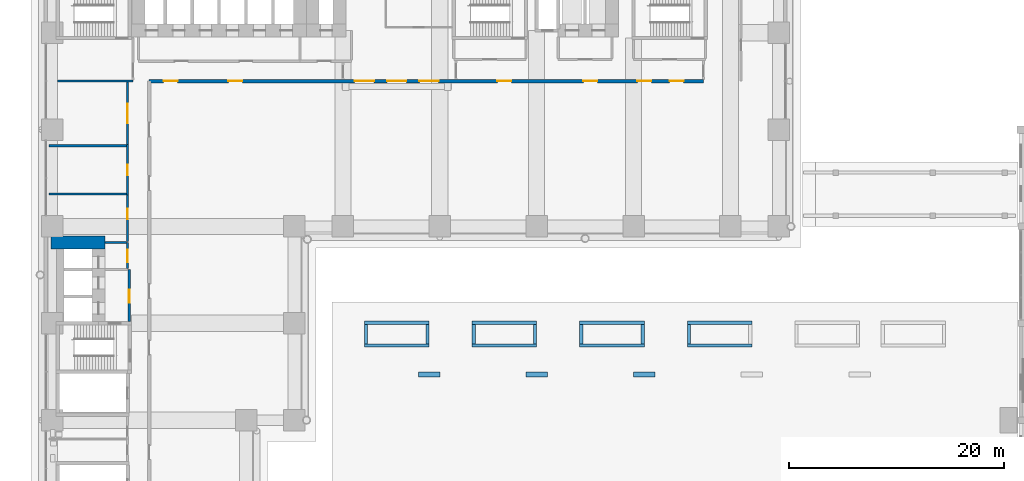
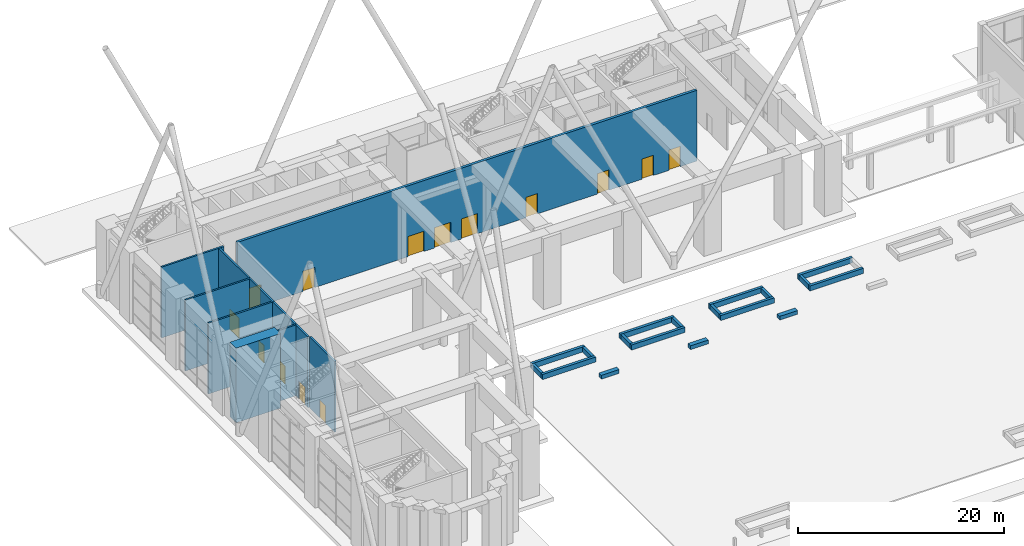
# One storey, part 28 of 44: 29 walls, 14 doors, 14 openings.
"""IFC4 building model written with IfcOpenShell, lengths in metres."""

from ifc_helpers import new_model, si_unit, direction, frame, frame_2d, origin, place, context, subcontext, project, spatial, rectangle, extrude, material, layer, layer_set, type_object, element, fill, save


model = new_model("IFC4")

# Units and contexts
model_context = context("Model", 3, precision=1e-05, world=origin(), true_north=direction((0.0, 1.0)))
body_context = subcontext(model_context, "Body", "Model", "MODEL_VIEW")
ifc_project = project(units=[si_unit("LENGTHUNIT", "METRE"), si_unit("AREAUNIT", "SQUARE_METRE"), si_unit("VOLUMEUNIT", "CUBIC_METRE"), si_unit("PLANEANGLEUNIT", "RADIAN"), si_unit("MASSUNIT", "GRAM", prefix="KILO")], contexts=[model_context])

# Site, building, storey
site_placement = place(None, origin())
site = spatial("IfcSite", under=ifc_project, at=site_placement, CompositionType="ELEMENT")
building_placement = place(site_placement, origin())
building = spatial("IfcBuilding", under=site, at=building_placement, Name="Firuza Court", CompositionType="ELEMENT")
storey_placement = place(building_placement, origin())
storey = spatial("IfcBuildingStorey", under=building, at=storey_placement, Name="L00", CompositionType="ELEMENT", Elevation=0.0)

# Wall
ifc_material_1 = material(Name="Concrete C60/75", Category="concrete")
ifc_layer_1 = layer(ifc_material_1, 1.199951171875)
ifc_layer_set_1 = layer_set([ifc_layer_1], Name="Concrete C60/75")
wall_type_1 = type_object("IfcWallType", Name="Core wall 1200 C60/75", PredefinedType="SHEAR", material=ifc_layer_set_1)
wall_1_placement = place(storey_placement, frame((-0.10009765625, 34.5, -0.449951171875), z_axis=(0.0, 0.0, 1.0), x_axis=(1.0, 0.0, 0.0)))
element("IfcWall", 1, at=wall_1_placement, inside=storey, type_object=wall_type_1, Name="Core wall lift shaft L00", PredefinedType="SHEAR", context=body_context, shape_type="SweptSolid", body=[
    extrude(rectangle(XDim=5.0, YDim=1.199951171875, at=frame_2d((2.5, 0.0))), origin(), (0.0, 0.0, 1.0), 8.849853515625),
])

# Wall, opening, door
ifc_material_2 = material(Name="Blockwork, plastered both sides", Category="masonry")
ifc_layer_2 = layer(ifc_material_2, 0.199951171875)
ifc_layer_set_2 = layer_set([ifc_layer_2], Name="Blockwork, plastered both sides")
wall_type_2 = type_object("IfcWallType", Name="Corridor wall 200", PredefinedType="PARTITIONING", material=ifc_layer_set_2)
wall_2_placement = place(storey_placement, frame((7.0, 38.89990234375, 0.0), z_axis=(0.0, 0.0, 1.0), x_axis=(0.0, -1.0, 0.0)))
wall_2 = element("IfcWall", 2, at=wall_2_placement, inside=storey, type_object=wall_type_2, Name="Corridor wall 200 L00", PredefinedType="PARTITIONING", context=body_context, shape_type="SweptSolid", body=[
    extrude(rectangle(XDim=4.2998046875, YDim=0.199951171875, at=frame_2d((2.14990234375, 0.0))), origin(), (0.0, 0.0, 1.0), 8.39990234375),
])
opening_1_placement = place(wall_2_placement, frame((1.25, 0.0, 0.0)))
opening_1 = element("IfcOpeningElement", 3, at=opening_1_placement, cuts=wall_2, Name="Opening D00023", PredefinedType="OPENING", context=body_context, shape_type="SweptSolid", body=[
    extrude(rectangle(XDim=1.0, YDim=2.10009765625, at=frame_2d((0.5, 1.050048828125))), frame((0.0, 0.11181640625, 0.0), z_axis=(0.0, -1.0, 0.0), x_axis=(1.0, 0.0, 0.0)), (0.0, 0.0, 1.0), 0.223876953125),
])
ifc_material_3 = material(Name="Timber door leaf in hardwood frame", Category="wood")
door_type_1 = type_object("IfcDoorType", Name="Fire command centre door 1000", OperationType="SINGLE_SWING_LEFT", PredefinedType="DOOR", material=ifc_material_3)
door_1_placement = place(opening_1_placement, frame((1.0, 0.0, 0.0), z_axis=(0.0, 0.0, 1.0), x_axis=(-1.0, 0.0, 0.0)))
door_1 = element("IfcDoor", 4, at=door_1_placement, inside=storey, type_object=door_type_1, Name="Fire door", OperationType="SINGLE_SWING_RIGHT", OverallHeight=2.10009765625, OverallWidth=1.0, PredefinedType="DOOR", context=body_context, shape_type="SweptSolid", body=[
    extrude(rectangle(XDim=1.0, YDim=2.10009765625, at=frame_2d((0.5, 1.050048828125))), frame((0.0, 0.02490234375, 0.0), z_axis=(0.0, -1.0, 0.0), x_axis=(1.0, 0.0, 0.0)), (0.0, 0.0, 1.0), 0.050048828125),
])
fill(opening_1, door_1)

# Wall, openings, doors
ifc_material_4 = material(Name="Concrete C40/50 precast", Category="concrete")
ifc_layer_3 = layer(ifc_material_4, 0.300048828125)
ifc_layer_set_3 = layer_set([ifc_layer_3], Name="Concrete C40/50 precast")
wall_type_3 = type_object("IfcWallType", Name="Ground floor enclosure wall 300", PredefinedType="SOLIDWALL", material=ifc_layer_set_3)
wall_3_placement = place(storey_placement, frame((9.0, 49.5, 0.0), z_axis=(0.0, 0.0, 1.0), x_axis=(1.0, 0.0, 0.0)))
wall_3 = element("IfcWall", 5, at=wall_3_placement, inside=storey, type_object=wall_type_3, Name="Ground floor enclosure wall 300 L00", PredefinedType="SOLIDWALL", context=body_context, shape_type="SweptSolid", body=[
    extrude(rectangle(XDim=51.5, YDim=0.300048828125, at=frame_2d((25.75, 0.0))), origin(), (0.0, 0.0, 1.0), 8.39990234375),
])
opening_2_placement = place(wall_3_placement, frame((19.10009765625, 0.0, 0.0)))
opening_2 = element("IfcOpeningElement", 6, at=opening_2_placement, cuts=wall_3, Name="Opening D00031", PredefinedType="OPENING", context=body_context, shape_type="SweptSolid", body=[
    extrude(rectangle(XDim=1.800048828125, YDim=2.39990234375, at=frame_2d((0.89990234375, 1.199951171875))), frame((0.0, 0.162109375, 0.0), z_axis=(0.0, -1.0, 0.0), x_axis=(1.0, 0.0, 0.0)), (0.0, 0.0, 1.0), 0.323974609375),
])
opening_3_placement = place(wall_3_placement, frame((22.10009765625, 0.0, 0.0)))
opening_3 = element("IfcOpeningElement", 7, at=opening_3_placement, cuts=wall_3, Name="Opening D00032", PredefinedType="OPENING", context=body_context, shape_type="SweptSolid", body=[
    extrude(rectangle(XDim=1.800048828125, YDim=2.39990234375, at=frame_2d((0.89990234375, 1.199951171875))), frame((0.0, 0.162109375, 0.0), z_axis=(0.0, -1.0, 0.0), x_axis=(1.0, 0.0, 0.0)), (0.0, 0.0, 1.0), 0.323974609375),
])
opening_4_placement = place(wall_3_placement, frame((25.10009765625, 0.0, 0.0)))
opening_4 = element("IfcOpeningElement", 8, at=opening_4_placement, cuts=wall_3, Name="Opening D00033", PredefinedType="OPENING", context=body_context, shape_type="SweptSolid", body=[
    extrude(rectangle(XDim=1.800048828125, YDim=2.39990234375, at=frame_2d((0.89990234375, 1.199951171875))), frame((0.0, 0.162109375, 0.0), z_axis=(0.0, -1.0, 0.0), x_axis=(1.0, 0.0, 0.0)), (0.0, 0.0, 1.0), 0.323974609375),
])
opening_5_placement = place(wall_3_placement, frame((40.35009765625, 0.0, 0.0)))
opening_5 = element("IfcOpeningElement", 9, at=opening_5_placement, cuts=wall_3, Name="Opening D00034", PredefinedType="OPENING", context=body_context, shape_type="SweptSolid", body=[
    extrude(rectangle(XDim=1.300048828125, YDim=2.39990234375, at=frame_2d((0.64990234375, 1.199951171875))), frame((0.0, 0.162109375, 0.0), z_axis=(0.0, -1.0, 0.0), x_axis=(1.0, 0.0, 0.0)), (0.0, 0.0, 1.0), 0.323974609375),
])
opening_6_placement = place(wall_3_placement, frame((32.35009765625, 0.0, 0.0)))
opening_6 = element("IfcOpeningElement", 10, at=opening_6_placement, cuts=wall_3, Name="Opening D00035", PredefinedType="OPENING", context=body_context, shape_type="SweptSolid", body=[
    extrude(rectangle(XDim=1.300048828125, YDim=2.39990234375, at=frame_2d((0.64990234375, 1.199951171875))), frame((0.0, 0.162109375, 0.0), z_axis=(0.0, -1.0, 0.0), x_axis=(1.0, 0.0, 0.0)), (0.0, 0.0, 1.0), 0.323974609375),
])
opening_7_placement = place(wall_3_placement, frame((48.35009765625, 0.0, 0.0)))
opening_7 = element("IfcOpeningElement", 11, at=opening_7_placement, cuts=wall_3, Name="Opening D00036", PredefinedType="OPENING", context=body_context, shape_type="SweptSolid", body=[
    extrude(rectangle(XDim=1.300048828125, YDim=2.39990234375, at=frame_2d((0.64990234375, 1.199951171875))), frame((0.0, 0.162109375, 0.0), z_axis=(0.0, -1.0, 0.0), x_axis=(1.0, 0.0, 0.0)), (0.0, 0.0, 1.0), 0.323974609375),
])
opening_8_placement = place(wall_3_placement, frame((1.35009765625, 0.0, 0.0)))
opening_8 = element("IfcOpeningElement", 12, at=opening_8_placement, cuts=wall_3, Name="Opening D00037", PredefinedType="OPENING", context=body_context, shape_type="SweptSolid", body=[
    extrude(rectangle(XDim=1.300048828125, YDim=2.39990234375, at=frame_2d((0.64990234375, 1.199951171875))), frame((0.0, 0.162109375, 0.0), z_axis=(0.0, -1.0, 0.0), x_axis=(1.0, 0.0, 0.0)), (0.0, 0.0, 1.0), 0.323974609375),
])
opening_9_placement = place(wall_3_placement, frame((7.35009765625, 0.0, 0.0)))
opening_9 = element("IfcOpeningElement", 13, at=opening_9_placement, cuts=wall_3, Name="Opening D00038", PredefinedType="OPENING", context=body_context, shape_type="SweptSolid", body=[
    extrude(rectangle(XDim=1.300048828125, YDim=2.39990234375, at=frame_2d((0.64990234375, 1.199951171875))), frame((0.0, 0.162109375, 0.0), z_axis=(0.0, -1.0, 0.0), x_axis=(1.0, 0.0, 0.0)), (0.0, 0.0, 1.0), 0.323974609375),
])
opening_10_placement = place(wall_3_placement, frame((45.35009765625, 0.0, 0.0)))
opening_10 = element("IfcOpeningElement", 14, at=opening_10_placement, cuts=wall_3, Name="Opening D00039", PredefinedType="OPENING", context=body_context, shape_type="SweptSolid", body=[
    extrude(rectangle(XDim=1.300048828125, YDim=2.39990234375, at=frame_2d((0.64990234375, 1.199951171875))), frame((0.0, 0.162109375, 0.0), z_axis=(0.0, -1.0, 0.0), x_axis=(1.0, 0.0, 0.0)), (0.0, 0.0, 1.0), 0.323974609375),
])
ifc_material_5 = material(Name="Timber door leaf in hardwood frame", Category="wood")
door_type_2 = type_object("IfcDoorType", Name="Entrance glass door 1800", OperationType="DOUBLE_DOOR_DOUBLE_SWING", PredefinedType="DOOR", material=ifc_material_5)
door_2_placement = place(opening_2_placement, frame((1.800048828125, 0.0, 0.0), z_axis=(0.0, 0.0, 1.0), x_axis=(-1.0, 0.0, 0.0)))
door_2 = element("IfcDoor", 15, at=door_2_placement, inside=storey, type_object=door_type_2, Name="Main entrance door 1", OperationType="DOUBLE_DOOR_DOUBLE_SWING", OverallHeight=2.39990234375, OverallWidth=1.800048828125, PredefinedType="DOOR", context=body_context, shape_type="SweptSolid", body=[
    extrude(rectangle(XDim=1.800048828125, YDim=2.39990234375, at=frame_2d((0.89990234375, 1.199951171875))), frame((0.0, 0.02490234375, 0.0), z_axis=(0.0, -1.0, 0.0), x_axis=(1.0, 0.0, 0.0)), (0.0, 0.0, 1.0), 0.050048828125),
])
fill(opening_2, door_2)
door_3_placement = place(opening_3_placement, frame((1.800048828125, 0.0, 0.0), z_axis=(0.0, 0.0, 1.0), x_axis=(-1.0, 0.0, 0.0)))
door_3 = element("IfcDoor", 16, at=door_3_placement, inside=storey, type_object=door_type_2, Name="Main entrance door 2", OperationType="DOUBLE_DOOR_DOUBLE_SWING", OverallHeight=2.39990234375, OverallWidth=1.800048828125, PredefinedType="DOOR", context=body_context, shape_type="SweptSolid", body=[
    extrude(rectangle(XDim=1.800048828125, YDim=2.39990234375, at=frame_2d((0.89990234375, 1.199951171875))), frame((0.0, 0.02490234375, 0.0), z_axis=(0.0, -1.0, 0.0), x_axis=(1.0, 0.0, 0.0)), (0.0, 0.0, 1.0), 0.050048828125),
])
fill(opening_3, door_3)
door_4_placement = place(opening_4_placement, frame((1.800048828125, 0.0, 0.0), z_axis=(0.0, 0.0, 1.0), x_axis=(-1.0, 0.0, 0.0)))
door_4 = element("IfcDoor", 17, at=door_4_placement, inside=storey, type_object=door_type_2, Name="Main entrance door 3", OperationType="DOUBLE_DOOR_DOUBLE_SWING", OverallHeight=2.39990234375, OverallWidth=1.800048828125, PredefinedType="DOOR", context=body_context, shape_type="SweptSolid", body=[
    extrude(rectangle(XDim=1.800048828125, YDim=2.39990234375, at=frame_2d((0.89990234375, 1.199951171875))), frame((0.0, 0.02490234375, 0.0), z_axis=(0.0, -1.0, 0.0), x_axis=(1.0, 0.0, 0.0)), (0.0, 0.0, 1.0), 0.050048828125),
])
fill(opening_4, door_4)
ifc_material_6 = material(Name="Timber door leaf in hardwood frame", Category="wood")
door_type_3 = type_object("IfcDoorType", Name="Exit door 1300", OperationType="SINGLE_SWING_LEFT", PredefinedType="DOOR", material=ifc_material_6)
door_5_placement = place(opening_5_placement, frame((1.300048828125, 0.0, 0.0), z_axis=(0.0, 0.0, 1.0), x_axis=(-1.0, 0.0, 0.0)))
door_5 = element("IfcDoor", 18, at=door_5_placement, inside=storey, type_object=door_type_3, Name="Visitor entrance door", OperationType="SINGLE_SWING_RIGHT", OverallHeight=2.39990234375, OverallWidth=1.300048828125, PredefinedType="DOOR", context=body_context, shape_type="SweptSolid", body=[
    extrude(rectangle(XDim=1.300048828125, YDim=2.39990234375, at=frame_2d((0.64990234375, 1.199951171875))), frame((0.0, 0.02490234375, 0.0), z_axis=(0.0, -1.0, 0.0), x_axis=(1.0, 0.0, 0.0)), (0.0, 0.0, 1.0), 0.050048828125),
])
fill(opening_5, door_5)
door_6_placement = place(opening_6_placement, frame((1.300048828125, 0.0, 0.0), z_axis=(0.0, 0.0, 1.0), x_axis=(-1.0, 0.0, 0.0)))
door_6 = element("IfcDoor", 19, at=door_6_placement, inside=storey, type_object=door_type_3, Name="Lift hall exit door centre", OperationType="SINGLE_SWING_RIGHT", OverallHeight=2.39990234375, OverallWidth=1.300048828125, PredefinedType="DOOR", context=body_context, shape_type="SweptSolid", body=[
    extrude(rectangle(XDim=1.300048828125, YDim=2.39990234375, at=frame_2d((0.64990234375, 1.199951171875))), frame((0.0, 0.02490234375, 0.0), z_axis=(0.0, -1.0, 0.0), x_axis=(1.0, 0.0, 0.0)), (0.0, 0.0, 1.0), 0.050048828125),
])
fill(opening_6, door_6)
door_7_placement = place(opening_7_placement, frame((1.300048828125, 0.0, 0.0), z_axis=(0.0, 0.0, 1.0), x_axis=(-1.0, 0.0, 0.0)))
door_7 = element("IfcDoor", 20, at=door_7_placement, inside=storey, type_object=door_type_3, Name="Shuttle hall exit door east", OperationType="SINGLE_SWING_RIGHT", OverallHeight=2.39990234375, OverallWidth=1.300048828125, PredefinedType="DOOR", context=body_context, shape_type="SweptSolid", body=[
    extrude(rectangle(XDim=1.300048828125, YDim=2.39990234375, at=frame_2d((0.64990234375, 1.199951171875))), frame((0.0, 0.02490234375, 0.0), z_axis=(0.0, -1.0, 0.0), x_axis=(1.0, 0.0, 0.0)), (0.0, 0.0, 1.0), 0.050048828125),
])
fill(opening_7, door_7)
door_8_placement = place(opening_8_placement, frame((1.300048828125, 0.0, 0.0), z_axis=(0.0, 0.0, 1.0), x_axis=(-1.0, 0.0, 0.0)))
door_8 = element("IfcDoor", 21, at=door_8_placement, inside=storey, type_object=door_type_3, Name="Lift hall exit door west", OperationType="SINGLE_SWING_RIGHT", OverallHeight=2.39990234375, OverallWidth=1.300048828125, PredefinedType="DOOR", context=body_context, shape_type="SweptSolid", body=[
    extrude(rectangle(XDim=1.300048828125, YDim=2.39990234375, at=frame_2d((0.64990234375, 1.199951171875))), frame((0.0, 0.02490234375, 0.0), z_axis=(0.0, -1.0, 0.0), x_axis=(1.0, 0.0, 0.0)), (0.0, 0.0, 1.0), 0.050048828125),
])
fill(opening_8, door_8)
door_9_placement = place(opening_9_placement, frame((1.300048828125, 0.0, 0.0), z_axis=(0.0, 0.0, 1.0), x_axis=(-1.0, 0.0, 0.0)))
door_9 = element("IfcDoor", 22, at=door_9_placement, inside=storey, type_object=door_type_3, Name="Lift hall exit door", OperationType="SINGLE_SWING_RIGHT", OverallHeight=2.39990234375, OverallWidth=1.300048828125, PredefinedType="DOOR", context=body_context, shape_type="SweptSolid", body=[
    extrude(rectangle(XDim=1.300048828125, YDim=2.39990234375, at=frame_2d((0.64990234375, 1.199951171875))), frame((0.0, 0.02490234375, 0.0), z_axis=(0.0, -1.0, 0.0), x_axis=(1.0, 0.0, 0.0)), (0.0, 0.0, 1.0), 0.050048828125),
])
fill(opening_9, door_9)
door_10_placement = place(opening_10_placement, frame((1.300048828125, 0.0, 0.0), z_axis=(0.0, 0.0, 1.0), x_axis=(-1.0, 0.0, 0.0)))
door_10 = element("IfcDoor", 23, at=door_10_placement, inside=storey, type_object=door_type_3, Name="Shuttle hall exit door", OperationType="SINGLE_SWING_RIGHT", OverallHeight=2.39990234375, OverallWidth=1.300048828125, PredefinedType="DOOR", context=body_context, shape_type="SweptSolid", body=[
    extrude(rectangle(XDim=1.300048828125, YDim=2.39990234375, at=frame_2d((0.64990234375, 1.199951171875))), frame((0.0, 0.02490234375, 0.0), z_axis=(0.0, -1.0, 0.0), x_axis=(1.0, 0.0, 0.0)), (0.0, 0.0, 1.0), 0.050048828125),
])
fill(opening_10, door_10)

# Walls
ifc_material_7 = material(Name="Concrete C30/37", Category="concrete")
ifc_layer_4 = layer(ifc_material_7, 0.5)
ifc_layer_set_4 = layer_set([ifc_layer_4], Name="Concrete C30/37")
wall_type_4 = type_object("IfcWallType", Name="HALL BENCH BLOCK 2000X500", PredefinedType="STANDARD", material=ifc_layer_set_4)
for number, where, z_axis, x_axis, name in (
    (24, (34.0, 22.25, 0.0), (0.0, 0.0, 1.0), (1.0, 0.0, 0.0), "BENCH 1"),
    (25, (44.0, 22.25, 0.0), (0.0, 0.0, 1.0), (1.0, 0.0, 0.0), "BENCH 2"),
    (26, (54.0, 22.25, 0.0), (0.0, 0.0, 1.0), (1.0, 0.0, 0.0), "BENCH 3"),
):
    element("IfcWall", number, at=place(storey_placement, frame(where, z_axis=z_axis, x_axis=x_axis)), inside=storey, type_object=wall_type_4, Name=name, ObjectType="BENCH", PredefinedType="USERDEFINED", context=body_context, shape_type="SweptSolid", body=[
        extrude(rectangle(XDim=2.0, YDim=0.5, at=frame_2d((1.0, 0.0))), origin(), (0.0, 0.0, 1.0), 0.449951171875),
    ])
ifc_layer_5 = layer(ifc_material_7, 0.300048828125)
ifc_layer_set_5 = layer_set([ifc_layer_5], Name="Concrete C30/37")
wall_type_5 = type_object("IfcWallType", Name="HALL PLANTER WALL 300", PredefinedType="STANDARD", material=ifc_layer_set_5)
for number, where, z_axis, x_axis, name in (
    (27, (29.0, 27.050048828125, 0.0), (0.0, 0.0, 1.0), (1.0, 0.0, 0.0), "PLANTER 1 north wall"),
    (28, (29.0, 24.949951171875, 0.0), (0.0, 0.0, 1.0), (1.0, 0.0, 0.0), "PLANTER 1 south wall"),
):
    element("IfcWall", number, at=place(storey_placement, frame(where, z_axis=z_axis, x_axis=x_axis)), inside=storey, type_object=wall_type_5, Name=name, ObjectType="PLANTER", PredefinedType="USERDEFINED", context=body_context, shape_type="SweptSolid", body=[
        extrude(rectangle(XDim=6.0, YDim=0.300048828125, at=frame_2d((3.0, 0.0))), origin(), (0.0, 0.0, 1.0), 0.60009765625),
    ])
for number, where, z_axis, x_axis, name in (
    (29, (34.85009765625, 25.10009765625, 0.0), (0.0, 0.0, 1.0), (0.0, 1.0, 0.0), "PLANTER 1 east wall"),
    (30, (29.14990234375, 25.10009765625, 0.0), (0.0, 0.0, 1.0), (0.0, 1.0, 0.0), "PLANTER 1 west wall"),
):
    element("IfcWall", number, at=place(storey_placement, frame(where, z_axis=z_axis, x_axis=x_axis)), inside=storey, type_object=wall_type_5, Name=name, ObjectType="PLANTER", PredefinedType="USERDEFINED", context=body_context, shape_type="SweptSolid", body=[
        extrude(rectangle(XDim=1.7998046875, YDim=0.300048828125, at=frame_2d((0.89990234375, 0.0))), origin(), (0.0, 0.0, 1.0), 0.60009765625),
    ])
for number, where, z_axis, x_axis, name in (
    (31, (39.0, 27.050048828125, 0.0), (0.0, 0.0, 1.0), (1.0, 0.0, 0.0), "PLANTER 2 north wall"),
    (32, (39.0, 24.949951171875, 0.0), (0.0, 0.0, 1.0), (1.0, 0.0, 0.0), "PLANTER 2 south wall"),
):
    element("IfcWall", number, at=place(storey_placement, frame(where, z_axis=z_axis, x_axis=x_axis)), inside=storey, type_object=wall_type_5, Name=name, ObjectType="PLANTER", PredefinedType="USERDEFINED", context=body_context, shape_type="SweptSolid", body=[
        extrude(rectangle(XDim=6.0, YDim=0.300048828125, at=frame_2d((3.0, 0.0))), origin(), (0.0, 0.0, 1.0), 0.60009765625),
    ])
for number, where, z_axis, x_axis, name in (
    (33, (44.85009765625, 25.10009765625, 0.0), (0.0, 0.0, 1.0), (0.0, 1.0, 0.0), "PLANTER 2 east wall"),
    (34, (39.14990234375, 25.10009765625, 0.0), (0.0, 0.0, 1.0), (0.0, 1.0, 0.0), "PLANTER 2 west wall"),
):
    element("IfcWall", number, at=place(storey_placement, frame(where, z_axis=z_axis, x_axis=x_axis)), inside=storey, type_object=wall_type_5, Name=name, ObjectType="PLANTER", PredefinedType="USERDEFINED", context=body_context, shape_type="SweptSolid", body=[
        extrude(rectangle(XDim=1.7998046875, YDim=0.300048828125, at=frame_2d((0.89990234375, 0.0))), origin(), (0.0, 0.0, 1.0), 0.60009765625),
    ])
for number, where, z_axis, x_axis, name in (
    (35, (49.0, 27.050048828125, 0.0), (0.0, 0.0, 1.0), (1.0, 0.0, 0.0), "PLANTER 3 north wall"),
    (36, (49.0, 24.949951171875, 0.0), (0.0, 0.0, 1.0), (1.0, 0.0, 0.0), "PLANTER 3 south wall"),
):
    element("IfcWall", number, at=place(storey_placement, frame(where, z_axis=z_axis, x_axis=x_axis)), inside=storey, type_object=wall_type_5, Name=name, ObjectType="PLANTER", PredefinedType="USERDEFINED", context=body_context, shape_type="SweptSolid", body=[
        extrude(rectangle(XDim=6.0, YDim=0.300048828125, at=frame_2d((3.0, 0.0))), origin(), (0.0, 0.0, 1.0), 0.60009765625),
    ])
for number, where, z_axis, x_axis, name in (
    (37, (54.85009765625, 25.10009765625, 0.0), (0.0, 0.0, 1.0), (0.0, 1.0, 0.0), "PLANTER 3 east wall"),
    (38, (49.14990234375, 25.10009765625, 0.0), (0.0, 0.0, 1.0), (0.0, 1.0, 0.0), "PLANTER 3 west wall"),
):
    element("IfcWall", number, at=place(storey_placement, frame(where, z_axis=z_axis, x_axis=x_axis)), inside=storey, type_object=wall_type_5, Name=name, ObjectType="PLANTER", PredefinedType="USERDEFINED", context=body_context, shape_type="SweptSolid", body=[
        extrude(rectangle(XDim=1.7998046875, YDim=0.300048828125, at=frame_2d((0.89990234375, 0.0))), origin(), (0.0, 0.0, 1.0), 0.60009765625),
    ])
for number, where, z_axis, x_axis, name in (
    (39, (59.0, 27.050048828125, 0.0), (0.0, 0.0, 1.0), (1.0, 0.0, 0.0), "PLANTER 4 north wall"),
    (40, (59.0, 24.949951171875, 0.0), (0.0, 0.0, 1.0), (1.0, 0.0, 0.0), "PLANTER 4 south wall"),
):
    element("IfcWall", number, at=place(storey_placement, frame(where, z_axis=z_axis, x_axis=x_axis)), inside=storey, type_object=wall_type_5, Name=name, ObjectType="PLANTER", PredefinedType="USERDEFINED", context=body_context, shape_type="SweptSolid", body=[
        extrude(rectangle(XDim=6.0, YDim=0.300048828125, at=frame_2d((3.0, 0.0))), origin(), (0.0, 0.0, 1.0), 0.60009765625),
    ])
wall_4_placement = place(storey_placement, frame((59.14990234375, 25.10009765625, 0.0), z_axis=(0.0, 0.0, 1.0), x_axis=(0.0, 1.0, 0.0)))
element("IfcWall", 41, at=wall_4_placement, inside=storey, type_object=wall_type_5, Name="PLANTER 4 west wall", ObjectType="PLANTER", PredefinedType="USERDEFINED", context=body_context, shape_type="SweptSolid", body=[
    extrude(rectangle(XDim=1.7998046875, YDim=0.300048828125, at=frame_2d((0.89990234375, 0.0))), origin(), (0.0, 0.0, 1.0), 0.60009765625),
])
ifc_material_8 = material(Name="Blockwork, fire-rated", Category="masonry")
ifc_layer_6 = layer(ifc_material_8, 0.199951171875)
ifc_layer_set_6 = layer_set([ifc_layer_6], Name="Blockwork, fire-rated")
wall_type_6 = type_object("IfcWallType", Name="Plant room wall 200", PredefinedType="PARTITIONING", material=ifc_layer_set_6)
for number, where, z_axis, x_axis, name in (
    (42, (-0.300048828125, 39.0, 0.0), (0.0, 0.0, 1.0), (1.0, 0.0, 0.0), "Plant room wall 200 L00"),
    (43, (-0.300048828125, 43.5, 0.0), (0.0, 0.0, 1.0), (1.0, 0.0, 0.0), "Plant room wall 200 L00"),
):
    element("IfcWall", number, at=place(storey_placement, frame(where, z_axis=z_axis, x_axis=x_axis)), inside=storey, type_object=wall_type_6, Name=name, PredefinedType="PARTITIONING", context=body_context, shape_type="SweptSolid", body=[
        extrude(rectangle(XDim=7.199951171875, YDim=0.199951171875, at=frame_2d((3.60009765625, 0.0))), origin(), (0.0, 0.0, 1.0), 8.39990234375),
    ])

# Wall, opening, door
wall_5_placement = place(storey_placement, frame((7.0, 43.60009765625, 0.0), z_axis=(0.0, 0.0, 1.0), x_axis=(0.0, -1.0, 0.0)))
wall_5 = element("IfcWall", 44, at=wall_5_placement, inside=storey, type_object=wall_type_6, Name="Plant room wall 200 L00", PredefinedType="PARTITIONING", context=body_context, shape_type="SweptSolid", body=[
    extrude(rectangle(XDim=4.7001953125, YDim=0.199951171875, at=frame_2d((2.35009765625, 0.0))), origin(), (0.0, 0.0, 1.0), 8.39990234375),
])
opening_11_placement = place(wall_5_placement, frame((1.85009765625, 0.0, 0.0)))
opening_11 = element("IfcOpeningElement", 45, at=opening_11_placement, cuts=wall_5, Name="Opening D00024", PredefinedType="OPENING", context=body_context, shape_type="SweptSolid", body=[
    extrude(rectangle(XDim=1.0, YDim=2.10009765625, at=frame_2d((0.5, 1.050048828125))), frame((0.0, 0.11181640625, 0.0), z_axis=(0.0, -1.0, 0.0), x_axis=(1.0, 0.0, 0.0)), (0.0, 0.0, 1.0), 0.223876953125),
])
ifc_material_9 = material(Name="Timber door leaf in hardwood frame", Category="wood")
door_type_4 = type_object("IfcDoorType", Name="Store door 1000", OperationType="SINGLE_SWING_LEFT", PredefinedType="DOOR", material=ifc_material_9)
door_11_placement = place(opening_11_placement, frame((1.0, 0.0, 0.0), z_axis=(0.0, 0.0, 1.0), x_axis=(-1.0, 0.0, 0.0)))
door_11 = element("IfcDoor", 46, at=door_11_placement, inside=storey, type_object=door_type_4, Name="Store door", OperationType="SINGLE_SWING_RIGHT", OverallHeight=2.10009765625, OverallWidth=1.0, PredefinedType="DOOR", context=body_context, shape_type="SweptSolid", body=[
    extrude(rectangle(XDim=1.0, YDim=2.10009765625, at=frame_2d((0.5, 1.050048828125))), frame((0.0, 0.02490234375, 0.0), z_axis=(0.0, -1.0, 0.0), x_axis=(1.0, 0.0, 0.0)), (0.0, 0.0, 1.0), 0.050048828125),
])
fill(opening_11, door_11)

wall_6_placement = place(storey_placement, frame((7.0, 49.39990234375, 0.0), z_axis=(0.0, 0.0, 1.0), x_axis=(0.0, -1.0, 0.0)))
wall_6 = element("IfcWall", 47, at=wall_6_placement, inside=storey, type_object=wall_type_6, Name="Plant room wall 200 L00", PredefinedType="PARTITIONING", context=body_context, shape_type="SweptSolid", body=[
    extrude(rectangle(XDim=5.7998046875, YDim=0.199951171875, at=frame_2d((2.89990234375, 0.0))), origin(), (0.0, 0.0, 1.0), 8.39990234375),
])
opening_12_placement = place(wall_6_placement, frame((2.0, 0.0, 0.0)))
opening_12 = element("IfcOpeningElement", 48, at=opening_12_placement, cuts=wall_6, Name="Opening D00025", PredefinedType="OPENING", context=body_context, shape_type="SweptSolid", body=[
    extrude(rectangle(XDim=1.800048828125, YDim=2.39990234375, at=frame_2d((0.89990234375, 1.199951171875))), frame((0.0, 0.11181640625, 0.0), z_axis=(0.0, -1.0, 0.0), x_axis=(1.0, 0.0, 0.0)), (0.0, 0.0, 1.0), 0.223876953125),
])
ifc_material_10 = material(Name="Timber door leaf in hardwood frame", Category="wood")
door_type_5 = type_object("IfcDoorType", Name="Double door 1800 EI 60", OperationType="DOUBLE_DOOR_SINGLE_SWING", PredefinedType="DOOR", material=ifc_material_10)
door_12_placement = place(opening_12_placement, origin())
door_12 = element("IfcDoor", 49, at=door_12_placement, inside=storey, type_object=door_type_5, Name="Double door", OperationType="DOUBLE_DOOR_SINGLE_SWING", OverallHeight=2.39990234375, OverallWidth=1.800048828125, PredefinedType="DOOR", context=body_context, shape_type="SweptSolid", body=[
    extrude(rectangle(XDim=1.800048828125, YDim=2.39990234375, at=frame_2d((0.89990234375, 1.199951171875))), frame((0.0, 0.02490234375, 0.0), z_axis=(0.0, -1.0, 0.0), x_axis=(1.0, 0.0, 0.0)), (0.0, 0.0, 1.0), 0.050048828125),
])
fill(opening_12, door_12)

ifc_layer_7 = layer(ifc_material_8, 0.199951171875)
ifc_layer_set_7 = layer_set([ifc_layer_7], Name="Blockwork, fire-rated")
wall_type_7 = type_object("IfcWallType", Name="Shaft wall 200", PredefinedType="PARTITIONING", material=ifc_layer_set_7)
wall_7_placement = place(storey_placement, frame((7.0, 32.10009765625, 0.0), z_axis=(0.0, 0.0, 1.0), x_axis=(0.0, 1.0, 0.0)))
wall_7 = element("IfcWall", 50, at=wall_7_placement, inside=storey, type_object=wall_type_7, Name="Shaft wall 200 L00", PredefinedType="PARTITIONING", context=body_context, shape_type="SweptSolid", body=[
    extrude(rectangle(XDim=2.39990234375, YDim=0.199951171875, at=frame_2d((1.199951171875, 0.0))), origin(), (0.0, 0.0, 1.0), 8.39990234375),
])
opening_13_placement = place(wall_7_placement, frame((0.550048828125, 0.0, 0.0)))
opening_13 = element("IfcOpeningElement", 51, at=opening_13_placement, cuts=wall_7, Name="Opening D00008", PredefinedType="OPENING", context=body_context, shape_type="SweptSolid", body=[
    extrude(rectangle(XDim=1.199951171875, YDim=2.10009765625, at=frame_2d((0.60009765625, 1.050048828125))), frame((0.0, 0.11181640625, 0.0), z_axis=(0.0, -1.0, 0.0), x_axis=(1.0, 0.0, 0.0)), (0.0, 0.0, 1.0), 0.223876953125),
])
ifc_material_11 = material(Name="Timber door leaf in hardwood frame", Category="wood")
door_type_6 = type_object("IfcDoorType", Name="Lobby door 1200", OperationType="SINGLE_SWING_LEFT", PredefinedType="DOOR", material=ifc_material_11)
door_13_placement = place(opening_13_placement, origin())
door_13 = element("IfcDoor", 52, at=door_13_placement, inside=storey, type_object=door_type_6, Name="Lobby door", OperationType="SINGLE_SWING_LEFT", OverallHeight=2.10009765625, OverallWidth=1.199951171875, PredefinedType="DOOR", context=body_context, shape_type="SweptSolid", body=[
    extrude(rectangle(XDim=1.199951171875, YDim=2.10009765625, at=frame_2d((0.60009765625, 1.050048828125))), frame((0.0, 0.02490234375, 0.0), z_axis=(0.0, -1.0, 0.0), x_axis=(1.0, 0.0, 0.0)), (0.0, 0.0, 1.0), 0.050048828125),
])
fill(opening_13, door_13)

# Wall
wall_8_placement = place(storey_placement, frame((4.89990234375, 34.5, 0.0), z_axis=(0.0, 0.0, 1.0), x_axis=(1.0, 0.0, 0.0)))
element("IfcWall", 53, at=wall_8_placement, inside=storey, type_object=wall_type_7, Name="Shaft wall 200 L00", PredefinedType="PARTITIONING", context=body_context, shape_type="SweptSolid", body=[
    extrude(rectangle(XDim=2.0, YDim=0.199951171875, at=frame_2d((1.0, 0.0))), origin(), (0.0, 0.0, 1.0), 8.39990234375),
])

# Wall, opening, door
wall_9_placement = place(storey_placement, frame((7.14990234375, 27.169921875, 0.0), z_axis=(0.0, 0.0, 1.0), x_axis=(0.0, 1.0, 0.0)))
wall_9 = element("IfcWall", 54, at=wall_9_placement, inside=storey, type_object=wall_type_7, Name="Shaft wall 200 L00", PredefinedType="PARTITIONING", context=body_context, shape_type="SweptSolid", body=[
    extrude(rectangle(XDim=4.830078125, YDim=0.199951171875, at=frame_2d((2.4150390625, 0.0))), origin(), (0.0, 0.0, 1.0), 8.39990234375),
])
opening_14_placement = place(wall_9_placement, frame((1.72998046875, 0.0, 0.0)))
opening_14 = element("IfcOpeningElement", 55, at=opening_14_placement, cuts=wall_9, Name="Opening D00002", PredefinedType="OPENING", context=body_context, shape_type="SweptSolid", body=[
    extrude(rectangle(XDim=1.199951171875, YDim=2.10009765625, at=frame_2d((0.60009765625, 1.050048828125))), frame((0.0, 0.11181640625, 0.0), z_axis=(0.0, -1.0, 0.0), x_axis=(1.0, 0.0, 0.0)), (0.0, 0.0, 1.0), 0.223876953125),
])
door_14_placement = place(opening_14_placement, origin())
door_14 = element("IfcDoor", 56, at=door_14_placement, inside=storey, type_object=door_type_6, Name="Fire-fighting lobby door", OperationType="SINGLE_SWING_LEFT", OverallHeight=2.10009765625, OverallWidth=1.199951171875, PredefinedType="DOOR", context=body_context, shape_type="SweptSolid", body=[
    extrude(rectangle(XDim=1.199951171875, YDim=2.10009765625, at=frame_2d((0.60009765625, 1.050048828125))), frame((0.0, 0.02490234375, 0.0), z_axis=(0.0, -1.0, 0.0), x_axis=(1.0, 0.0, 0.0)), (0.0, 0.0, 1.0), 0.050048828125),
])
fill(opening_14, door_14)

# Wall
wall_10_placement = place(storey_placement, frame((0.5, 49.5, 0.0), z_axis=(0.0, 0.0, 1.0), x_axis=(1.0, 0.0, 0.0)))
element("IfcWall", 57, at=wall_10_placement, inside=storey, type_object=wall_type_7, Name="Shaft wall 200 L00", PredefinedType="PARTITIONING", context=body_context, shape_type="SweptSolid", body=[
    extrude(rectangle(XDim=7.0, YDim=0.199951171875, at=frame_2d((3.5, 0.0))), origin(), (0.0, 0.0, 1.0), 8.39990234375),
])

save(model, "model.ifc")
